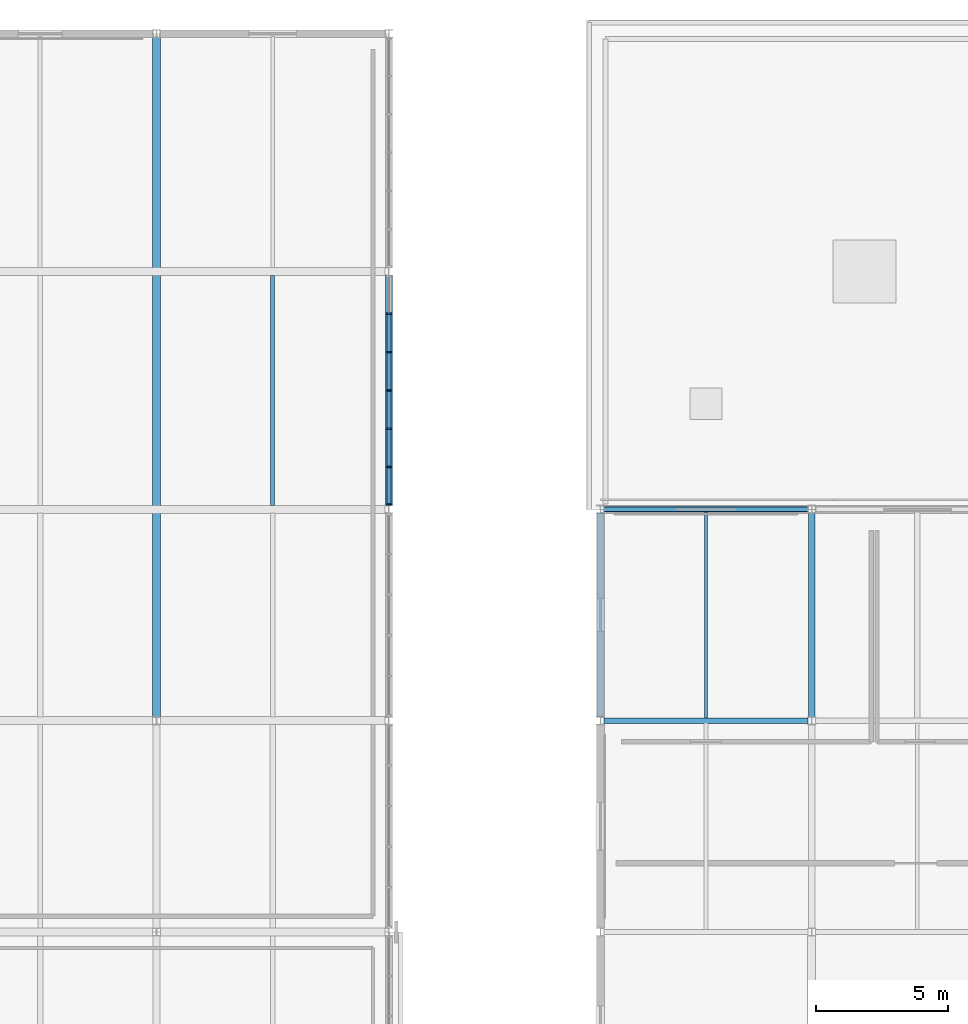
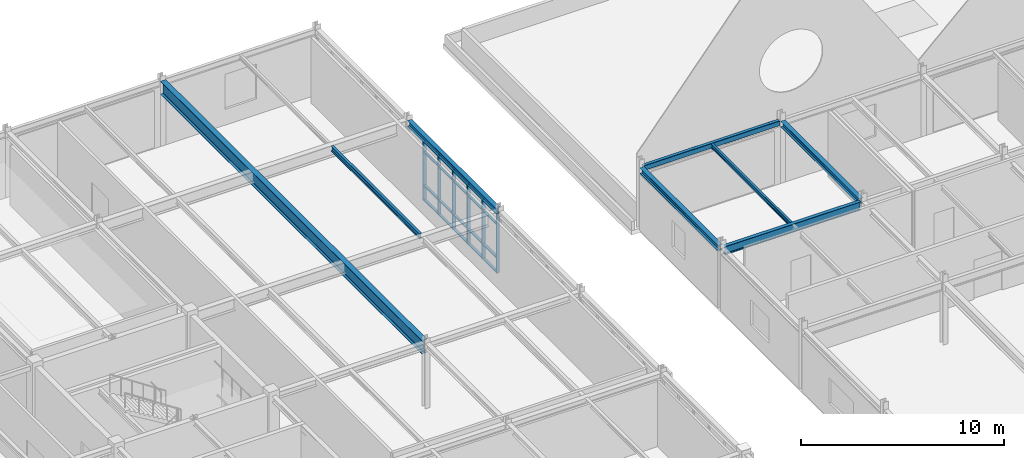
# One storey, part 33 of 88: 26 members, 8 beams, 1 element without a shape of its own.
"""IFC4 building model written with IfcOpenShell, lengths in metres."""

from ifc_helpers import new_model, si_unit, direction, frame, origin, origin_2d, place, context, subcontext, project, spatial, rectangle, hollow_rectangle, i_section, extrude, material, material_profile, profile_set, type_object, element, aggregate, save


model = new_model("IFC4")

# Units and contexts
model_context = context("Model", 3, precision=1e-05, world=origin(), true_north=direction((0.0, 1.0)))
body_context = subcontext(model_context, "Body", "Model", "MODEL_VIEW")
ifc_project = project(units=[si_unit("LENGTHUNIT", "METRE"), si_unit("AREAUNIT", "SQUARE_METRE"), si_unit("VOLUMEUNIT", "CUBIC_METRE"), si_unit("PLANEANGLEUNIT", "RADIAN"), si_unit("MASSUNIT", "GRAM", prefix="KILO")], contexts=[model_context])

# Site, building, storey
site_placement = place(None, origin())
site = spatial("IfcSite", under=ifc_project, at=site_placement, CompositionType="ELEMENT")
building_placement = place(site_placement, origin())
building = spatial("IfcBuilding", under=site, at=building_placement, Name="Zhaolan Boulevard Law Courts", CompositionType="ELEMENT")
storey_placement = place(building_placement, frame((0.0, 0.0, 16.199951171875)))
storey = spatial("IfcBuildingStorey", under=building, at=storey_placement, Name="L03", CompositionType="ELEMENT", Elevation=16.199951171875)

# Curtain wall, members
ifc_material_1 = material(Name="Thermally broken aluminium and low-E glazing", Category="aluminium")
curtain_wall_type = type_object("IfcCurtainWallType", Name="CURTAIN WALL M9", PredefinedType="USERDEFINED", material=ifc_material_1)
curtain_wall_placement = place(storey_placement, origin())
curtain_wall = element("IfcCurtainWall", 1, at=curtain_wall_placement, inside=storey, type_object=curtain_wall_type, Name="Curtain Wall CW-L03-129", ObjectType="CURTAIN WALL", PredefinedType="USERDEFINED")
ifc_material_2 = material(Name="Fluorocarbon-coated aluminium 6063-T6", Category="aluminium")
ifc_material_profile_1 = material_profile(ifc_material_2, rectangle(XDim=0.179931640625, YDim=0.06494140625, at=origin_2d()), Name="AL65x180")
ifc_profile_set_1 = profile_set([ifc_material_profile_1], Name="Fluorocarbon-coated aluminium 6063-T6")
member_type_1 = type_object("IfcMemberType", Name="CWMULLION 65X180", PredefinedType="MULLION", material=ifc_profile_set_1)
member_1_placement = place(storey_placement, frame((44.0, 94.1845703125, 0.0), z_axis=(0.0, 0.0, 1.0), x_axis=(-1.0, 0.0, 0.0)))
member_1 = element("IfcMember", 2, at=member_1_placement, type_object=member_type_1, Name="CW-L03-129 mullion 1", PredefinedType="MULLION", context=body_context, shape_type="SweptSolid", body=[
    extrude(rectangle(XDim=0.179931640625, YDim=0.06494140625, at=origin_2d()), origin(), (0.0, 0.0, 1.0), 3.56298828125),
])
member_2_placement = place(storey_placement, frame((44.0, 95.601318359375, 0.0), z_axis=(0.0, 0.0, 1.0), x_axis=(-1.0, 0.0, 0.0)))
member_2 = element("IfcMember", 3, at=member_2_placement, type_object=member_type_1, Name="CW-L03-129 mullion 2", PredefinedType="MULLION", context=body_context, shape_type="SweptSolid", body=[
    extrude(rectangle(XDim=0.179931640625, YDim=0.06494140625, at=origin_2d()), origin(), (0.0, 0.0, 1.0), 3.56298828125),
])
member_3_placement = place(storey_placement, frame((44.0, 97.05078125, 0.0), z_axis=(0.0, 0.0, 1.0), x_axis=(-1.0, 0.0, 0.0)))
member_3 = element("IfcMember", 4, at=member_3_placement, type_object=member_type_1, Name="CW-L03-129 mullion 3", PredefinedType="MULLION", context=body_context, shape_type="SweptSolid", body=[
    extrude(rectangle(XDim=0.179931640625, YDim=0.06494140625, at=origin_2d()), origin(), (0.0, 0.0, 1.0), 3.56298828125),
])
member_4_placement = place(storey_placement, frame((44.0, 98.5, 0.0), z_axis=(0.0, 0.0, 1.0), x_axis=(-1.0, 0.0, 0.0)))
member_4 = element("IfcMember", 5, at=member_4_placement, type_object=member_type_1, Name="CW-L03-129 mullion 4", PredefinedType="MULLION", context=body_context, shape_type="SweptSolid", body=[
    extrude(rectangle(XDim=0.179931640625, YDim=0.06494140625, at=origin_2d()), origin(), (0.0, 0.0, 1.0), 3.56298828125),
])
member_5_placement = place(storey_placement, frame((44.0, 99.94921875, 0.0), z_axis=(0.0, 0.0, 1.0), x_axis=(-1.0, 0.0, 0.0)))
member_5 = element("IfcMember", 6, at=member_5_placement, type_object=member_type_1, Name="CW-L03-129 mullion 5", PredefinedType="MULLION", context=body_context, shape_type="SweptSolid", body=[
    extrude(rectangle(XDim=0.179931640625, YDim=0.06494140625, at=origin_2d()), origin(), (0.0, 0.0, 1.0), 3.56298828125),
])
member_6_placement = place(storey_placement, frame((44.0, 101.398681640625, 0.0), z_axis=(0.0, 0.0, 1.0), x_axis=(-1.0, 0.0, 0.0)))
member_6 = element("IfcMember", 7, at=member_6_placement, type_object=member_type_1, Name="CW-L03-129 mullion 6", PredefinedType="MULLION", context=body_context, shape_type="SweptSolid", body=[
    extrude(rectangle(XDim=0.179931640625, YDim=0.06494140625, at=origin_2d()), origin(), (0.0, 0.0, 1.0), 3.56298828125),
])
ifc_material_3 = material(Name="Fluorocarbon-coated aluminium 6063-T6", Category="aluminium")
ifc_material_profile_2 = material_profile(ifc_material_3, rectangle(XDim=0.139892578125, YDim=0.06494140625, at=origin_2d()), Name="AL65x140")
ifc_profile_set_2 = profile_set([ifc_material_profile_2], Name="Fluorocarbon-coated aluminium 6063-T6")
member_type_2 = type_object("IfcMemberType", Name="CWTRANSOM 65X140", PredefinedType="USERDEFINED", material=ifc_profile_set_2)
member_7_placement = place(storey_placement, frame((44.0, 94.217041015625, 0.032470703125), z_axis=(0.0, 1.0, 0.0), x_axis=(-1.0, 0.0, 0.0)))
member_7 = element("IfcMember", 8, at=member_7_placement, type_object=member_type_2, Name="CW-L03-129 transom 1.1", ObjectType="TRANSOM", PredefinedType="USERDEFINED", context=body_context, shape_type="SweptSolid", body=[
    extrude(rectangle(XDim=0.139892578125, YDim=0.06494140625, at=origin_2d()), origin(), (0.0, 0.0, 1.0), 1.351806640625),
])
member_8_placement = place(storey_placement, frame((44.0, 94.217041015625, 0.900146484375), z_axis=(0.0, 1.0, 0.0), x_axis=(-1.0, 0.0, 0.0)))
member_8 = element("IfcMember", 9, at=member_8_placement, type_object=member_type_2, Name="CW-L03-129 transom 1.2", ObjectType="TRANSOM", PredefinedType="USERDEFINED", context=body_context, shape_type="SweptSolid", body=[
    extrude(rectangle(XDim=0.139892578125, YDim=0.06494140625, at=origin_2d()), origin(), (0.0, 0.0, 1.0), 1.351806640625),
])
member_9_placement = place(storey_placement, frame((44.0, 94.217041015625, 2.9130859375), z_axis=(0.0, 1.0, 0.0), x_axis=(-1.0, 0.0, 0.0)))
member_9 = element("IfcMember", 10, at=member_9_placement, type_object=member_type_2, Name="CW-L03-129 transom 1.3", ObjectType="TRANSOM", PredefinedType="USERDEFINED", context=body_context, shape_type="SweptSolid", body=[
    extrude(rectangle(XDim=0.139892578125, YDim=0.06494140625, at=origin_2d()), origin(), (0.0, 0.0, 1.0), 1.351806640625),
])
member_10_placement = place(storey_placement, frame((44.0, 94.217041015625, 3.530517578125), z_axis=(0.0, 1.0, 0.0), x_axis=(-1.0, 0.0, 0.0)))
member_10 = element("IfcMember", 11, at=member_10_placement, type_object=member_type_2, Name="CW-L03-129 transom 1.4", ObjectType="TRANSOM", PredefinedType="USERDEFINED", context=body_context, shape_type="SweptSolid", body=[
    extrude(rectangle(XDim=0.139892578125, YDim=0.06494140625, at=origin_2d()), origin(), (0.0, 0.0, 1.0), 1.351806640625),
])
member_11_placement = place(storey_placement, frame((44.0, 95.6337890625, 0.032470703125), z_axis=(0.0, 1.0, 0.0), x_axis=(-1.0, 0.0, 0.0)))
member_11 = element("IfcMember", 12, at=member_11_placement, type_object=member_type_2, Name="CW-L03-129 transom 2.1", ObjectType="TRANSOM", PredefinedType="USERDEFINED", context=body_context, shape_type="SweptSolid", body=[
    extrude(rectangle(XDim=0.139892578125, YDim=0.06494140625, at=origin_2d()), origin(), (0.0, 0.0, 1.0), 1.38427734375),
])
member_12_placement = place(storey_placement, frame((44.0, 95.6337890625, 0.900146484375), z_axis=(0.0, 1.0, 0.0), x_axis=(-1.0, 0.0, 0.0)))
member_12 = element("IfcMember", 13, at=member_12_placement, type_object=member_type_2, Name="CW-L03-129 transom 2.2", ObjectType="TRANSOM", PredefinedType="USERDEFINED", context=body_context, shape_type="SweptSolid", body=[
    extrude(rectangle(XDim=0.139892578125, YDim=0.06494140625, at=origin_2d()), origin(), (0.0, 0.0, 1.0), 1.38427734375),
])
member_13_placement = place(storey_placement, frame((44.0, 95.6337890625, 2.9130859375), z_axis=(0.0, 1.0, 0.0), x_axis=(-1.0, 0.0, 0.0)))
member_13 = element("IfcMember", 14, at=member_13_placement, type_object=member_type_2, Name="CW-L03-129 transom 2.3", ObjectType="TRANSOM", PredefinedType="USERDEFINED", context=body_context, shape_type="SweptSolid", body=[
    extrude(rectangle(XDim=0.139892578125, YDim=0.06494140625, at=origin_2d()), origin(), (0.0, 0.0, 1.0), 1.38427734375),
])
member_14_placement = place(storey_placement, frame((44.0, 95.6337890625, 3.530517578125), z_axis=(0.0, 1.0, 0.0), x_axis=(-1.0, 0.0, 0.0)))
member_14 = element("IfcMember", 15, at=member_14_placement, type_object=member_type_2, Name="CW-L03-129 transom 2.4", ObjectType="TRANSOM", PredefinedType="USERDEFINED", context=body_context, shape_type="SweptSolid", body=[
    extrude(rectangle(XDim=0.139892578125, YDim=0.06494140625, at=origin_2d()), origin(), (0.0, 0.0, 1.0), 1.38427734375),
])
member_15_placement = place(storey_placement, frame((44.0, 97.083251953125, 0.032470703125), z_axis=(0.0, 1.0, 0.0), x_axis=(-1.0, 0.0, 0.0)))
member_15 = element("IfcMember", 16, at=member_15_placement, type_object=member_type_2, Name="CW-L03-129 transom 3.1", ObjectType="TRANSOM", PredefinedType="USERDEFINED", context=body_context, shape_type="SweptSolid", body=[
    extrude(rectangle(XDim=0.139892578125, YDim=0.06494140625, at=origin_2d()), origin(), (0.0, 0.0, 1.0), 1.38427734375),
])
member_16_placement = place(storey_placement, frame((44.0, 97.083251953125, 0.900146484375), z_axis=(0.0, 1.0, 0.0), x_axis=(-1.0, 0.0, 0.0)))
member_16 = element("IfcMember", 17, at=member_16_placement, type_object=member_type_2, Name="CW-L03-129 transom 3.2", ObjectType="TRANSOM", PredefinedType="USERDEFINED", context=body_context, shape_type="SweptSolid", body=[
    extrude(rectangle(XDim=0.139892578125, YDim=0.06494140625, at=origin_2d()), origin(), (0.0, 0.0, 1.0), 1.38427734375),
])
member_17_placement = place(storey_placement, frame((44.0, 97.083251953125, 2.9130859375), z_axis=(0.0, 1.0, 0.0), x_axis=(-1.0, 0.0, 0.0)))
member_17 = element("IfcMember", 18, at=member_17_placement, type_object=member_type_2, Name="CW-L03-129 transom 3.3", ObjectType="TRANSOM", PredefinedType="USERDEFINED", context=body_context, shape_type="SweptSolid", body=[
    extrude(rectangle(XDim=0.139892578125, YDim=0.06494140625, at=origin_2d()), origin(), (0.0, 0.0, 1.0), 1.38427734375),
])
member_18_placement = place(storey_placement, frame((44.0, 97.083251953125, 3.530517578125), z_axis=(0.0, 1.0, 0.0), x_axis=(-1.0, 0.0, 0.0)))
member_18 = element("IfcMember", 19, at=member_18_placement, type_object=member_type_2, Name="CW-L03-129 transom 3.4", ObjectType="TRANSOM", PredefinedType="USERDEFINED", context=body_context, shape_type="SweptSolid", body=[
    extrude(rectangle(XDim=0.139892578125, YDim=0.06494140625, at=origin_2d()), origin(), (0.0, 0.0, 1.0), 1.38427734375),
])
member_19_placement = place(storey_placement, frame((44.0, 98.532470703125, 0.032470703125), z_axis=(0.0, 1.0, 0.0), x_axis=(-1.0, 0.0, 0.0)))
member_19 = element("IfcMember", 20, at=member_19_placement, type_object=member_type_2, Name="CW-L03-129 transom 4.1", ObjectType="TRANSOM", PredefinedType="USERDEFINED", context=body_context, shape_type="SweptSolid", body=[
    extrude(rectangle(XDim=0.139892578125, YDim=0.06494140625, at=origin_2d()), origin(), (0.0, 0.0, 1.0), 1.38427734375),
])
member_20_placement = place(storey_placement, frame((44.0, 98.532470703125, 0.900146484375), z_axis=(0.0, 1.0, 0.0), x_axis=(-1.0, 0.0, 0.0)))
member_20 = element("IfcMember", 21, at=member_20_placement, type_object=member_type_2, Name="CW-L03-129 transom 4.2", ObjectType="TRANSOM", PredefinedType="USERDEFINED", context=body_context, shape_type="SweptSolid", body=[
    extrude(rectangle(XDim=0.139892578125, YDim=0.06494140625, at=origin_2d()), origin(), (0.0, 0.0, 1.0), 1.38427734375),
])
member_21_placement = place(storey_placement, frame((44.0, 98.532470703125, 2.9130859375), z_axis=(0.0, 1.0, 0.0), x_axis=(-1.0, 0.0, 0.0)))
member_21 = element("IfcMember", 22, at=member_21_placement, type_object=member_type_2, Name="CW-L03-129 transom 4.3", ObjectType="TRANSOM", PredefinedType="USERDEFINED", context=body_context, shape_type="SweptSolid", body=[
    extrude(rectangle(XDim=0.139892578125, YDim=0.06494140625, at=origin_2d()), origin(), (0.0, 0.0, 1.0), 1.38427734375),
])
member_22_placement = place(storey_placement, frame((44.0, 98.532470703125, 3.530517578125), z_axis=(0.0, 1.0, 0.0), x_axis=(-1.0, 0.0, 0.0)))
member_22 = element("IfcMember", 23, at=member_22_placement, type_object=member_type_2, Name="CW-L03-129 transom 4.4", ObjectType="TRANSOM", PredefinedType="USERDEFINED", context=body_context, shape_type="SweptSolid", body=[
    extrude(rectangle(XDim=0.139892578125, YDim=0.06494140625, at=origin_2d()), origin(), (0.0, 0.0, 1.0), 1.38427734375),
])
member_23_placement = place(storey_placement, frame((44.0, 99.98193359375, 0.032470703125), z_axis=(0.0, 1.0, 0.0), x_axis=(-1.0, 0.0, 0.0)))
member_23 = element("IfcMember", 24, at=member_23_placement, type_object=member_type_2, Name="CW-L03-129 transom 5.1", ObjectType="TRANSOM", PredefinedType="USERDEFINED", context=body_context, shape_type="SweptSolid", body=[
    extrude(rectangle(XDim=0.139892578125, YDim=0.06494140625, at=origin_2d()), origin(), (0.0, 0.0, 1.0), 1.38427734375),
])
member_24_placement = place(storey_placement, frame((44.0, 99.98193359375, 0.900146484375), z_axis=(0.0, 1.0, 0.0), x_axis=(-1.0, 0.0, 0.0)))
member_24 = element("IfcMember", 25, at=member_24_placement, type_object=member_type_2, Name="CW-L03-129 transom 5.2", ObjectType="TRANSOM", PredefinedType="USERDEFINED", context=body_context, shape_type="SweptSolid", body=[
    extrude(rectangle(XDim=0.139892578125, YDim=0.06494140625, at=origin_2d()), origin(), (0.0, 0.0, 1.0), 1.38427734375),
])
member_25_placement = place(storey_placement, frame((44.0, 99.98193359375, 2.9130859375), z_axis=(0.0, 1.0, 0.0), x_axis=(-1.0, 0.0, 0.0)))
member_25 = element("IfcMember", 26, at=member_25_placement, type_object=member_type_2, Name="CW-L03-129 transom 5.3", ObjectType="TRANSOM", PredefinedType="USERDEFINED", context=body_context, shape_type="SweptSolid", body=[
    extrude(rectangle(XDim=0.139892578125, YDim=0.06494140625, at=origin_2d()), origin(), (0.0, 0.0, 1.0), 1.38427734375),
])
member_26_placement = place(storey_placement, frame((44.0, 99.98193359375, 3.530517578125), z_axis=(0.0, 1.0, 0.0), x_axis=(-1.0, 0.0, 0.0)))
member_26 = element("IfcMember", 27, at=member_26_placement, type_object=member_type_2, Name="CW-L03-129 transom 5.4", ObjectType="TRANSOM", PredefinedType="USERDEFINED", context=body_context, shape_type="SweptSolid", body=[
    extrude(rectangle(XDim=0.139892578125, YDim=0.06494140625, at=origin_2d()), origin(), (0.0, 0.0, 1.0), 1.38427734375),
])
aggregate(curtain_wall, [member_1, member_2, member_3, member_4, member_5, member_6, member_7, member_8, member_9, member_10, member_11, member_12, member_13, member_14, member_15, member_16, member_17, member_18, member_19, member_20, member_21, member_22, member_23, member_24, member_25, member_26])

# Beams
ifc_material_4 = material(Name="Structural steel Q355B", Category="steel")
ifc_material_profile_3 = material_profile(ifc_material_4, i_section(OverallWidth=0.25, OverallDepth=0.340087890625, WebThickness=0.009033203125, FlangeThickness=0.013916015625, FilletRadius=0.01611328125, at=origin_2d()), Name="HM340x250")
ifc_profile_set_3 = profile_set([ifc_material_profile_3], Name="Structural steel Q355B")
beam_type_1 = type_object("IfcBeamType", Name="GIRDER HM340", PredefinedType="BEAM", material=ifc_profile_set_3)
beam_1_placement = place(storey_placement, frame((44.0, 94.14599609375, 3.748046875), z_axis=(0.0, 1.0, 0.0), x_axis=(-1.0, 0.0, 0.0)))
element("IfcBeam", 28, at=beam_1_placement, inside=storey, type_object=beam_type_1, Name="Beam BY-L04-6-N-P", PredefinedType="BEAM", context=body_context, shape_type="SweptSolid", body=[
    extrude(i_section(OverallWidth=0.25, OverallDepth=0.340087890625, WebThickness=0.009033203125, FlangeThickness=0.013916015625, FilletRadius=0.01611328125, at=origin_2d()), origin(), (0.0, 0.0, 1.0), 8.7080078125),
])
for number, where, z_axis, x_axis, name in (
    (29, (52.0, 86.14599609375, 3.568115234375), (0.0, 1.0, 0.0), (-1.0, 0.0, 0.0), "Beam BY-L04-7-M-N"),
    (30, (60.0, 86.14599609375, 3.568115234375), (0.0, 1.0, 0.0), (-1.0, 0.0, 0.0), "Beam BY-L04-8-M-N"),
):
    element("IfcBeam", number, at=place(storey_placement, frame(where, z_axis=z_axis, x_axis=x_axis)), inside=storey, type_object=beam_type_1, Name=name, PredefinedType="BEAM", context=body_context, shape_type="SweptSolid", body=[
        extrude(i_section(OverallWidth=0.25, OverallDepth=0.340087890625, WebThickness=0.009033203125, FlangeThickness=0.013916015625, FilletRadius=0.01611328125, at=origin_2d()), origin(), (0.0, 0.0, 1.0), 7.7080078125),
    ])
ifc_material_5 = material(Name="Structural steel Q355B", Category="steel")
ifc_material_profile_4 = material_profile(ifc_material_5, i_section(OverallWidth=0.199951171875, OverallDepth=0.5, WebThickness=0.010009765625, FlangeThickness=0.01611328125, FilletRadius=0.01806640625, at=origin_2d()), Name="HN500x200")
ifc_profile_set_4 = profile_set([ifc_material_profile_4], Name="Structural steel Q355B")
beam_type_2 = type_object("IfcBeamType", Name="GIRDER HN500", PredefinedType="BEAM", material=ifc_profile_set_4)
beam_2_placement = place(storey_placement, frame((52.14599609375, 86.0, 3.488037109375), z_axis=(1.0, 0.0, 0.0), x_axis=(0.0, 1.0, 0.0)))
element("IfcBeam", 31, at=beam_2_placement, inside=storey, type_object=beam_type_2, Name="Beam BX-L04-7-8-M", PredefinedType="BEAM", context=body_context, shape_type="SweptSolid", body=[
    extrude(i_section(OverallWidth=0.199951171875, OverallDepth=0.5, WebThickness=0.010009765625, FlangeThickness=0.01611328125, FilletRadius=0.01806640625, at=origin_2d()), origin(), (0.0, 0.0, 1.0), 7.7080078125),
])
ifc_material_6 = material(Name="Structural steel Q390B", Category="steel")
ifc_material_profile_5 = material_profile(ifc_material_6, i_section(OverallWidth=0.300048828125, OverallDepth=0.800048828125, WebThickness=0.013916015625, FlangeThickness=0.02587890625, FilletRadius=0.02392578125, at=origin_2d()), Name="HN800x300")
ifc_profile_set_5 = profile_set([ifc_material_profile_5], Name="Structural steel Q390B")
beam_type_3 = type_object("IfcBeamType", Name="GIRDER HN800", PredefinedType="BEAM", material=ifc_profile_set_5)
beam_3_placement = place(storey_placement, frame((35.199951171875, 86.14599609375, 3.51806640625), z_axis=(0.0, 1.0, 0.0), x_axis=(-1.0, 0.0, 0.0)))
element("IfcBeam", 32, at=beam_3_placement, inside=storey, type_object=beam_type_3, Name="Beam BY-L04-5-M-Q", PredefinedType="BEAM", context=body_context, shape_type="SweptSolid", body=[
    extrude(i_section(OverallWidth=0.300048828125, OverallDepth=0.800048828125, WebThickness=0.013916015625, FlangeThickness=0.02587890625, FilletRadius=0.02392578125, at=origin_2d()), origin(), (0.0, 0.0, 1.0), 25.7080078125),
])
ifc_material_7 = material(Name="Structural steel Q355B", Category="steel")
ifc_material_profile_6 = material_profile(ifc_material_7, i_section(OverallWidth=0.125, OverallDepth=0.25, WebThickness=0.006103515625, FlangeThickness=0.009033203125, FilletRadius=0.010009765625, at=origin_2d()), Name="HN250x125")
ifc_profile_set_6 = profile_set([ifc_material_profile_6], Name="Structural steel Q355B")
beam_type_4 = type_object("IfcBeamType", Name="JOIST HN250", PredefinedType="JOIST", material=ifc_profile_set_6)
beam_4_placement = place(storey_placement, frame((56.0, 86.095947265625, 3.613037109375), z_axis=(0.0, 1.0, 0.0), x_axis=(-1.0, 0.0, 0.0)))
element("IfcBeam", 33, at=beam_4_placement, inside=storey, type_object=beam_type_4, Name="Composite Joist J-L04-7M", PredefinedType="JOIST", context=body_context, shape_type="SweptSolid", body=[
    extrude(i_section(OverallWidth=0.125, OverallDepth=0.25, WebThickness=0.006103515625, FlangeThickness=0.009033203125, FilletRadius=0.010009765625, at=origin_2d()), origin(), (0.0, 0.0, 1.0), 7.80810546875),
])
ifc_material_8 = material(Name="Structural steel Q355B", Category="steel")
ifc_material_profile_7 = material_profile(ifc_material_8, i_section(OverallWidth=0.14990234375, OverallDepth=0.300048828125, WebThickness=0.006591796875, FlangeThickness=0.009033203125, FilletRadius=0.010986328125, at=origin_2d()), Name="HN300x150")
ifc_profile_set_7 = profile_set([ifc_material_profile_7], Name="Structural steel Q355B")
beam_type_5 = type_object("IfcBeamType", Name="JOIST HN300", PredefinedType="JOIST", material=ifc_profile_set_7)
beam_5_placement = place(storey_placement, frame((39.60009765625, 94.14599609375, 3.76806640625), z_axis=(0.0, 1.0, 0.0), x_axis=(-1.0, 0.0, 0.0)))
element("IfcBeam", 34, at=beam_5_placement, inside=storey, type_object=beam_type_5, Name="Composite Joist J-L04-5N", PredefinedType="JOIST", context=body_context, shape_type="SweptSolid", body=[
    extrude(i_section(OverallWidth=0.14990234375, OverallDepth=0.300048828125, WebThickness=0.006591796875, FlangeThickness=0.009033203125, FilletRadius=0.010986328125, at=origin_2d()), origin(), (0.0, 0.0, 1.0), 8.7080078125),
])
ifc_material_9 = material(Name="Structural steel Q355B", Category="steel")
ifc_material_profile_8 = material_profile(ifc_material_9, hollow_rectangle(XDim=0.199951171875, YDim=0.300048828125, WallThickness=0.011962890625, InnerFilletRadius=0.011962890625, OuterFilletRadius=0.02392578125, at=origin_2d()), Name="HSS300x200x12")
ifc_profile_set_8 = profile_set([ifc_material_profile_8], Name="Structural steel Q355B")
beam_type_6 = type_object("IfcBeamType", Name="SPANDREL HSS300", PredefinedType="SPANDREL", material=ifc_profile_set_8)
beam_6_placement = place(storey_placement, frame((52.14599609375, 94.0, 3.588134765625), z_axis=(1.0, 0.0, 0.0), x_axis=(0.0, 1.0, 0.0)))
element("IfcBeam", 35, at=beam_6_placement, inside=storey, type_object=beam_type_6, Name="Beam BX-L04-7-8-N", PredefinedType="SPANDREL", context=body_context, shape_type="SweptSolid", body=[
    extrude(hollow_rectangle(XDim=0.199951171875, YDim=0.300048828125, WallThickness=0.011962890625, InnerFilletRadius=0.011962890625, OuterFilletRadius=0.02392578125, at=origin_2d()), origin(), (0.0, 0.0, 1.0), 7.7080078125),
])

save(model, "model.ifc")
